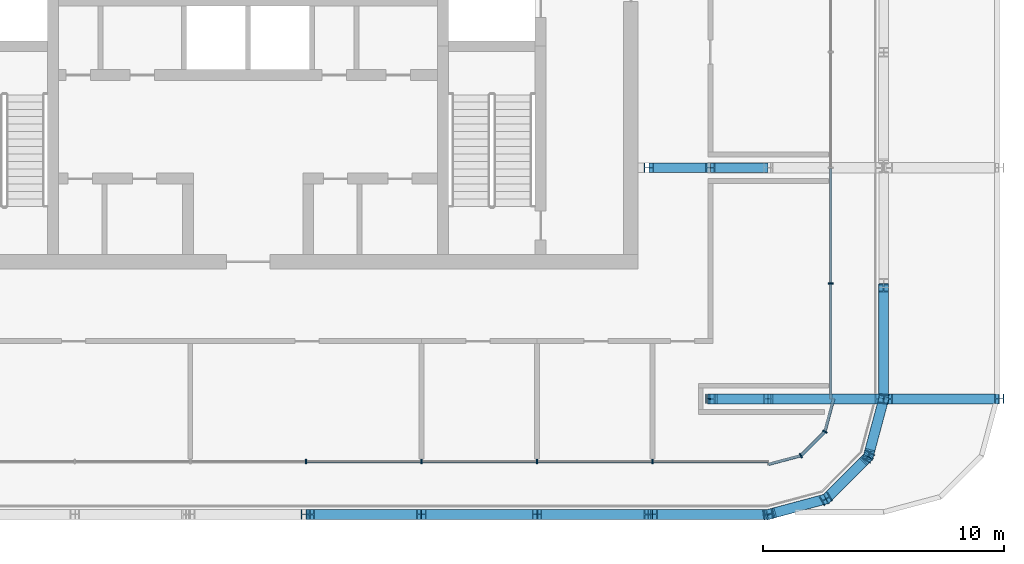
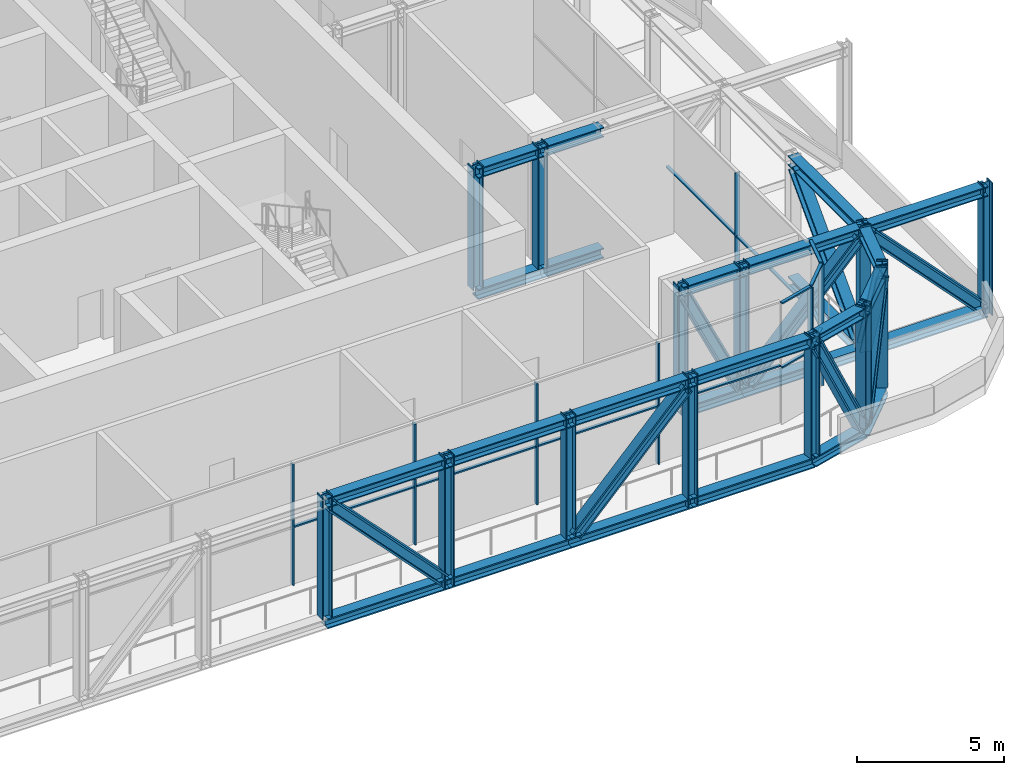
# One storey, part 7 of 26: 67 members, 3 elements without a shape of their own.
"""IFC4 building model written with IfcOpenShell, lengths in metres."""

from ifc_helpers import new_model, si_unit, direction, frame, origin, origin_2d, place, context, subcontext, project, spatial, rectangle, i_section, extrude, material, layer, layer_set, material_profile, profile_set, type_object, element, aggregate, save


model = new_model("IFC4")

# Units and contexts
model_context = context("Model", 3, precision=1e-05, world=origin(), true_north=direction((0.0, 1.0)))
body_context = subcontext(model_context, "Body", "Model", "MODEL_VIEW")
ifc_project = project(units=[si_unit("LENGTHUNIT", "METRE"), si_unit("AREAUNIT", "SQUARE_METRE"), si_unit("VOLUMEUNIT", "CUBIC_METRE"), si_unit("PLANEANGLEUNIT", "RADIAN"), si_unit("MASSUNIT", "GRAM", prefix="KILO")], contexts=[model_context])

# Site, building, storey
site_placement = place(None, origin())
site = spatial("IfcSite", under=ifc_project, at=site_placement, CompositionType="ELEMENT")
building_placement = place(site_placement, origin())
building = spatial("IfcBuilding", under=site, at=building_placement, Name="Madar Terraces", CompositionType="ELEMENT")
storey_placement = place(building_placement, frame((0.0, 0.0, 233.300048828125)))
storey = spatial("IfcBuildingStorey", under=building, at=storey_placement, Name="L61", CompositionType="ELEMENT", Elevation=233.300048828125)

# Members
ifc_material_1 = material(Name="Steel ASTM A992 Grade 50", Category="steel")
ifc_material_profile_1 = material_profile(ifc_material_1, i_section(OverallWidth=0.408935546875, OverallDepth=0.424072265625, WebThickness=0.03271484375, FlangeThickness=0.052490234375, at=origin_2d()), Name="W14x283")
ifc_profile_set_1 = profile_set([ifc_material_profile_1], Name="Steel ASTM A992 Grade 50")
member_type_1 = type_object("IfcMemberType", Name="BC8 W14x283", PredefinedType="CHORD", material=ifc_profile_set_1)
member_1_placement = place(storey_placement, frame((33.60009765625, 4.800048828125, -0.2080078125), z_axis=(1.0, 0.0, 0.0), x_axis=(0.0, 1.0, 0.0)))
element("IfcMember", 1, at=member_1_placement, inside=storey, type_object=member_type_1, Name="Exoskeleton truss ring bottom chord BC8", PredefinedType="CHORD", context=body_context, shape_type="SweptSolid", body=[
    extrude(i_section(OverallWidth=0.408935546875, OverallDepth=0.424072265625, WebThickness=0.03271484375, FlangeThickness=0.052490234375, at=origin_2d()), origin(), (0.0, 0.0, 1.0), 4.7998046875),
])
for number, where, z_axis, x_axis, name in (
    (2, (38.39990234375, 4.800048828125, -0.2080078125), (1.0, 0.0, 0.0), (0.0, 1.0, 0.0), "Exoskeleton truss ring bottom chord BC8"),
    (3, (43.199951171875, 4.800048828125, -0.2080078125), (1.0, 0.0, 0.0), (0.0, 1.0, 0.0), "Exoskeleton truss ring bottom chord BC8"),
    (4, (48.0, 4.800048828125, -0.2080078125), (1.0, 0.0, 0.0), (0.0, 1.0, 0.0), "Exoskeleton truss ring bottom chord BC8"),
):
    element("IfcMember", number, at=place(storey_placement, frame(where, z_axis=z_axis, x_axis=x_axis)), inside=storey, type_object=member_type_1, Name=name, PredefinedType="CHORD", context=body_context, shape_type="SweptSolid", body=[
        extrude(i_section(OverallWidth=0.408935546875, OverallDepth=0.424072265625, WebThickness=0.03271484375, FlangeThickness=0.052490234375, at=origin_2d()), origin(), (0.0, 0.0, 1.0), 4.800048828125),
    ])
for number, where, z_axis, x_axis, name in (
    (5, (52.800048828125, 4.800048828125, -0.2080078125), (0.965924366126, 0.258824494443, 0.0), (-0.258824494443, 0.965924366126, 0.0), "Exoskeleton truss ring bottom chord BC8"),
    (6, (55.199951171875, 5.443115234375, -0.2080078125), (0.707155907999, 0.70705765096, 0.0), (-0.70705765096, 0.707155907999, 0.0), "Exoskeleton truss ring bottom chord BC8"),
):
    element("IfcMember", number, at=place(storey_placement, frame(where, z_axis=z_axis, x_axis=x_axis)), inside=storey, type_object=member_type_1, Name=name, PredefinedType="CHORD", context=body_context, shape_type="SweptSolid", body=[
        extrude(i_section(OverallWidth=0.408935546875, OverallDepth=0.424072265625, WebThickness=0.03271484375, FlangeThickness=0.052490234375, at=origin_2d()), origin(), (0.0, 0.0, 1.0), 2.484619140625),
    ])
member_2_placement = place(storey_placement, frame((56.95703125, 7.199951171875, -0.2080078125), z_axis=(0.258799930484, 0.965930947833, 0.0), x_axis=(-0.965930947833, 0.258799930484, 0.0)))
element("IfcMember", 7, at=member_2_placement, inside=storey, type_object=member_type_1, Name="Exoskeleton truss ring bottom chord BC8", PredefinedType="CHORD", context=body_context, shape_type="SweptSolid", body=[
    extrude(i_section(OverallWidth=0.408935546875, OverallDepth=0.424072265625, WebThickness=0.03271484375, FlangeThickness=0.052490234375, at=origin_2d()), origin(), (0.0, 0.0, 1.0), 2.48486328125),
])
member_3_placement = place(storey_placement, frame((57.60009765625, 9.60009765625, -0.2080078125), z_axis=(0.0, 1.0, 0.0), x_axis=(-1.0, 0.0, 0.0)))
element("IfcMember", 8, at=member_3_placement, inside=storey, type_object=member_type_1, Name="Exoskeleton truss ring bottom chord BC8", PredefinedType="CHORD", context=body_context, shape_type="SweptSolid", body=[
    extrude(i_section(OverallWidth=0.408935546875, OverallDepth=0.424072265625, WebThickness=0.03271484375, FlangeThickness=0.052490234375, at=origin_2d()), origin(), (0.0, 0.0, 1.0), 4.7998046875),
])
for number, where, z_axis, x_axis, name in (
    (9, (62.39990234375, 9.60009765625, -0.2080078125), (-1.0, 0.0, 0.0), (0.0, -1.0, 0.0), "Exoskeleton truss cross E9.6 bottom chord BC8"),
    (10, (57.3955078125, 9.60009765625, -0.2080078125), (-1.0, 0.0, 0.0), (0.0, -1.0, 0.0), "Exoskeleton truss cross E9.6 bottom chord BC8"),
):
    element("IfcMember", number, at=place(storey_placement, frame(where, z_axis=z_axis, x_axis=x_axis)), inside=storey, type_object=member_type_1, Name=name, PredefinedType="CHORD", context=body_context, shape_type="SweptSolid", body=[
        extrude(i_section(OverallWidth=0.408935546875, OverallDepth=0.424072265625, WebThickness=0.03271484375, FlangeThickness=0.052490234375, at=origin_2d()), origin(), (0.0, 0.0, 1.0), 4.595458984375),
    ])
for number, where, z_axis, x_axis, name in (
    (11, (52.800048828125, 9.60009765625, -0.2080078125), (-1.0, 0.0, 0.0), (0.0, -1.0, 0.0), "Exoskeleton truss cross E9.6 bottom chord BC8"),
    (12, (52.800048828125, 19.199951171875, -0.2080078125), (-1.0, 0.0, 0.0), (0.0, -1.0, 0.0), "Exoskeleton truss cross E19.2 bottom chord BC8"),
):
    element("IfcMember", number, at=place(storey_placement, frame(where, z_axis=z_axis, x_axis=x_axis)), inside=storey, type_object=member_type_1, Name=name, PredefinedType="CHORD", context=body_context, shape_type="SweptSolid", body=[
        extrude(i_section(OverallWidth=0.408935546875, OverallDepth=0.424072265625, WebThickness=0.03271484375, FlangeThickness=0.052490234375, at=origin_2d()), origin(), (0.0, 0.0, 1.0), 2.400146484375),
    ])
member_4_placement = place(storey_placement, frame((50.39990234375, 19.199951171875, -0.2080078125), z_axis=(-1.0, 0.0, 0.0), x_axis=(0.0, -1.0, 0.0)))
element("IfcMember", 13, at=member_4_placement, inside=storey, type_object=member_type_1, Name="Exoskeleton truss cross E19.2 bottom chord BC8", PredefinedType="CHORD", context=body_context, shape_type="SweptSolid", body=[
    extrude(i_section(OverallWidth=0.408935546875, OverallDepth=0.424072265625, WebThickness=0.03271484375, FlangeThickness=0.052490234375, at=origin_2d()), origin(), (0.0, 0.0, 1.0), 2.5498046875),
])

# Curtain wall, members
ifc_material_2 = material(Name="Glass, ceramic frit dark grey, with black aluminium frame", Category="aluminium")
ifc_layer = layer(ifc_material_2, 0.199951171875)
ifc_layer_set = layer_set([ifc_layer], Name="Facade curtain wall, tall glazing")
curtain_wall_type = type_object("IfcCurtainWallType", Name="Facade curtain wall, tall glazing", PredefinedType="NOTDEFINED", material=ifc_layer_set)
curtain_wall_1_placement = place(storey_placement, origin())
curtain_wall_1 = element("IfcCurtainWall", 14, at=curtain_wall_1_placement, inside=storey, type_object=curtain_wall_type, Name="Outer skin curtain wall south bay 1", PredefinedType="NOTDEFINED")
ifc_material_3 = material(Name="Aluminium, black anodised", Category="aluminium")
ifc_material_profile_2 = material_profile(ifc_material_3, rectangle(XDim=0.199951171875, YDim=0.06005859375, at=origin_2d()), Name="Facade mullion 60x200")
ifc_profile_set_2 = profile_set([ifc_material_profile_2], Name="Aluminium, black anodised")
member_type_2 = type_object("IfcMemberType", Name="Facade mullion 60x200", PredefinedType="MULLION", material=ifc_profile_set_2)
member_5_placement = place(storey_placement, frame((33.60009765625, 7.0, 0.0), z_axis=(0.0, 0.0, 1.0), x_axis=(0.0, 1.0, 0.0)))
member_5 = element("IfcMember", 15, at=member_5_placement, type_object=member_type_2, Name="Mullion 6", PredefinedType="MULLION", context=body_context, shape_type="SweptSolid", body=[
    extrude(rectangle(XDim=0.199951171875, YDim=0.06005859375, at=origin_2d()), origin(), (0.0, 0.0, 1.0), 5.0400390625),
])
member_6_placement = place(storey_placement, frame((38.39990234375, 7.0, 0.0), z_axis=(0.0, 0.0, 1.0), x_axis=(0.0, 1.0, 0.0)))
member_6 = element("IfcMember", 16, at=member_6_placement, type_object=member_type_2, Name="Mullion 7", PredefinedType="MULLION", context=body_context, shape_type="SweptSolid", body=[
    extrude(rectangle(XDim=0.199951171875, YDim=0.06005859375, at=origin_2d()), origin(), (0.0, 0.0, 1.0), 5.0400390625),
])
member_7_placement = place(storey_placement, frame((43.199951171875, 7.0, 0.0), z_axis=(0.0, 0.0, 1.0), x_axis=(0.0, 1.0, 0.0)))
member_7 = element("IfcMember", 17, at=member_7_placement, type_object=member_type_2, Name="Mullion 8", PredefinedType="MULLION", context=body_context, shape_type="SweptSolid", body=[
    extrude(rectangle(XDim=0.199951171875, YDim=0.06005859375, at=origin_2d()), origin(), (0.0, 0.0, 1.0), 5.0400390625),
])
member_8_placement = place(storey_placement, frame((48.0, 7.0, 0.0), z_axis=(0.0, 0.0, 1.0), x_axis=(0.0, 1.0, 0.0)))
member_8 = element("IfcMember", 18, at=member_8_placement, type_object=member_type_2, Name="Mullion 9", PredefinedType="MULLION", context=body_context, shape_type="SweptSolid", body=[
    extrude(rectangle(XDim=0.199951171875, YDim=0.06005859375, at=origin_2d()), origin(), (0.0, 0.0, 1.0), 5.0400390625),
])

# Curtain wall, member
curtain_wall_2_placement = place(storey_placement, origin())
curtain_wall_2 = element("IfcCurtainWall", 19, at=curtain_wall_2_placement, inside=storey, type_object=curtain_wall_type, Name="Outer skin curtain wall east bay 1", PredefinedType="NOTDEFINED")
member_9_placement = place(storey_placement, frame((55.39990234375, 14.39990234375, 0.0), z_axis=(0.0, 0.0, 1.0), x_axis=(-1.0, 0.0, 0.0)))
member_9 = element("IfcMember", 20, at=member_9_placement, type_object=member_type_2, Name="Mullion 1", PredefinedType="MULLION", context=body_context, shape_type="SweptSolid", body=[
    extrude(rectangle(XDim=0.199951171875, YDim=0.06005859375, at=origin_2d()), origin(), (0.0, 0.0, 1.0), 5.0400390625),
])

# Curtain wall, members
curtain_wall_3_placement = place(storey_placement, origin())
curtain_wall_3 = element("IfcCurtainWall", 21, at=curtain_wall_3_placement, inside=storey, type_object=curtain_wall_type, Name="Outer skin curtain wall south-east corner", PredefinedType="NOTDEFINED")
member_10_placement = place(storey_placement, frame((54.159912109375, 7.244384765625, 0.0), z_axis=(0.0, 0.0, 1.0), x_axis=(-0.500000029202, 0.866025386925, 0.0)))
member_10 = element("IfcMember", 22, at=member_10_placement, type_object=member_type_2, Name="Mullion 1", PredefinedType="MULLION", context=body_context, shape_type="SweptSolid", body=[
    extrude(rectangle(XDim=0.199951171875, YDim=0.06005859375, at=origin_2d()), origin(), (0.0, 0.0, 1.0), 5.0400390625),
])
member_11_placement = place(storey_placement, frame((55.155517578125, 8.239990234375, 0.0), z_axis=(0.0, 0.0, 1.0), x_axis=(-0.866025386925, 0.500000029202, 0.0)))
member_11 = element("IfcMember", 23, at=member_11_placement, type_object=member_type_2, Name="Mullion 2", PredefinedType="MULLION", context=body_context, shape_type="SweptSolid", body=[
    extrude(rectangle(XDim=0.199951171875, YDim=0.06005859375, at=origin_2d()), origin(), (0.0, 0.0, 1.0), 5.0400390625),
])

# Member
ifc_material_4 = material(Name="Aluminium, black anodised", Category="aluminium")
ifc_material_profile_3 = material_profile(ifc_material_4, rectangle(XDim=0.1201171875, YDim=0.06005859375, at=origin_2d()), Name="Facade transom 60x120")
ifc_profile_set_3 = profile_set([ifc_material_profile_3], Name="Aluminium, black anodised")
member_type_3 = type_object("IfcMemberType", Name="Facade transom 60x120", PredefinedType="USERDEFINED", material=ifc_profile_set_3)
member_12_placement = place(storey_placement, frame((33.6298828125, 7.0, 2.39990234375), z_axis=(1.0, 0.0, 0.0), x_axis=(0.0, 1.0, 0.0)))
member_12 = element("IfcMember", 24, at=member_12_placement, type_object=member_type_3, Name="Transom 8", ObjectType="TRANSOM", PredefinedType="USERDEFINED", context=body_context, shape_type="SweptSolid", body=[
    extrude(rectangle(XDim=0.1201171875, YDim=0.06005859375, at=origin_2d()), origin(), (0.0, 0.0, 1.0), 4.740234375),
])

member_13_placement = place(storey_placement, frame((38.429931640625, 7.0, 2.39990234375), z_axis=(1.0, 0.0, 0.0), x_axis=(0.0, 1.0, 0.0)))
member_13 = element("IfcMember", 25, at=member_13_placement, type_object=member_type_3, Name="Transom 9", ObjectType="TRANSOM", PredefinedType="USERDEFINED", context=body_context, shape_type="SweptSolid", body=[
    extrude(rectangle(XDim=0.1201171875, YDim=0.06005859375, at=origin_2d()), origin(), (0.0, 0.0, 1.0), 4.739990234375),
])

member_14_placement = place(storey_placement, frame((43.22998046875, 7.0, 2.39990234375), z_axis=(1.0, 0.0, 0.0), x_axis=(0.0, 1.0, 0.0)))
member_14 = element("IfcMember", 26, at=member_14_placement, type_object=member_type_3, Name="Transom 10", ObjectType="TRANSOM", PredefinedType="USERDEFINED", context=body_context, shape_type="SweptSolid", body=[
    extrude(rectangle(XDim=0.1201171875, YDim=0.06005859375, at=origin_2d()), origin(), (0.0, 0.0, 1.0), 4.739990234375),
])

member_15_placement = place(storey_placement, frame((48.030029296875, 7.0, 2.39990234375), z_axis=(1.0, 0.0, 0.0), x_axis=(0.0, 1.0, 0.0)))
member_15 = element("IfcMember", 27, at=member_15_placement, type_object=member_type_3, Name="Transom 11", ObjectType="TRANSOM", PredefinedType="USERDEFINED", context=body_context, shape_type="SweptSolid", body=[
    extrude(rectangle(XDim=0.1201171875, YDim=0.06005859375, at=origin_2d()), origin(), (0.0, 0.0, 1.0), 4.77001953125),
])

aggregate(curtain_wall_1, [member_5, member_6, member_7, member_8, member_12, member_13, member_14, member_15])

member_16_placement = place(storey_placement, frame((55.39990234375, 9.60009765625, 2.39990234375), z_axis=(0.0, 1.0, 0.0), x_axis=(-1.0, 0.0, 0.0)))
member_16 = element("IfcMember", 28, at=member_16_placement, type_object=member_type_3, Name="Transom 2", ObjectType="TRANSOM", PredefinedType="USERDEFINED", context=body_context, shape_type="SweptSolid", body=[
    extrude(rectangle(XDim=0.1201171875, YDim=0.06005859375, at=origin_2d()), origin(), (0.0, 0.0, 1.0), 4.77001953125),
])

member_17_placement = place(storey_placement, frame((55.39990234375, 14.429931640625, 2.39990234375), z_axis=(0.0, 1.0, 0.0), x_axis=(-1.0, 0.0, 0.0)))
member_17 = element("IfcMember", 29, at=member_17_placement, type_object=member_type_3, Name="Transom 3", ObjectType="TRANSOM", PredefinedType="USERDEFINED", context=body_context, shape_type="SweptSolid", body=[
    extrude(rectangle(XDim=0.1201171875, YDim=0.06005859375, at=origin_2d()), origin(), (0.0, 0.0, 1.0), 4.739990234375),
])

aggregate(curtain_wall_2, [member_9, member_16, member_17])

member_18_placement = place(storey_placement, frame((52.800048828125, 6.8798828125, 5.070068359375), z_axis=(0.965919580711, 0.258842352791, 0.0), x_axis=(-0.258842352791, 0.965919580711, 0.0)))
member_18 = element("IfcMember", 30, at=member_18_placement, type_object=member_type_3, Name="Transom 1", ObjectType="TRANSOM", PredefinedType="USERDEFINED", context=body_context, shape_type="SweptSolid", body=[
    extrude(rectangle(XDim=0.1201171875, YDim=0.06005859375, at=origin_2d()), origin(), (0.0, 0.0, 1.0), 1.3779296875),
])

member_19_placement = place(storey_placement, frame((52.800048828125, 6.8798828125, 2.39990234375), z_axis=(0.965919580711, 0.258842352791, 0.0), x_axis=(-0.258842352791, 0.965919580711, 0.0)))
member_19 = element("IfcMember", 31, at=member_19_placement, type_object=member_type_3, Name="Transom 2", ObjectType="TRANSOM", PredefinedType="USERDEFINED", context=body_context, shape_type="SweptSolid", body=[
    extrude(rectangle(XDim=0.1201171875, YDim=0.06005859375, at=origin_2d()), origin(), (0.0, 0.0, 1.0), 1.3779296875),
])

member_20_placement = place(storey_placement, frame((54.18115234375, 7.265625, 5.070068359375), z_axis=(0.707106781187, 0.707106781187, 0.0), x_axis=(-0.707106781187, 0.707106781187, 0.0)))
member_20 = element("IfcMember", 32, at=member_20_placement, type_object=member_type_3, Name="Transom 3", ObjectType="TRANSOM", PredefinedType="USERDEFINED", context=body_context, shape_type="SweptSolid", body=[
    extrude(rectangle(XDim=0.1201171875, YDim=0.06005859375, at=origin_2d()), origin(), (0.0, 0.0, 1.0), 1.347900390625),
])

member_21_placement = place(storey_placement, frame((54.18115234375, 7.265625, 2.39990234375), z_axis=(0.707106781187, 0.707106781187, 0.0), x_axis=(-0.707106781187, 0.707106781187, 0.0)))
member_21 = element("IfcMember", 33, at=member_21_placement, type_object=member_type_3, Name="Transom 4", ObjectType="TRANSOM", PredefinedType="USERDEFINED", context=body_context, shape_type="SweptSolid", body=[
    extrude(rectangle(XDim=0.1201171875, YDim=0.06005859375, at=origin_2d()), origin(), (0.0, 0.0, 1.0), 1.347900390625),
])

member_22_placement = place(storey_placement, frame((55.163330078125, 8.26904296875, 5.070068359375), z_axis=(0.258842352791, 0.965919580711, 0.0), x_axis=(-0.965919580711, 0.258842352791, 0.0)))
member_22 = element("IfcMember", 34, at=member_22_placement, type_object=member_type_3, Name="Transom 5", ObjectType="TRANSOM", PredefinedType="USERDEFINED", context=body_context, shape_type="SweptSolid", body=[
    extrude(rectangle(XDim=0.1201171875, YDim=0.06005859375, at=origin_2d()), origin(), (0.0, 0.0, 1.0), 1.3779296875),
])

member_23_placement = place(storey_placement, frame((55.163330078125, 8.26904296875, 2.39990234375), z_axis=(0.258842352791, 0.965919580711, 0.0), x_axis=(-0.965919580711, 0.258842352791, 0.0)))
member_23 = element("IfcMember", 35, at=member_23_placement, type_object=member_type_3, Name="Transom 6", ObjectType="TRANSOM", PredefinedType="USERDEFINED", context=body_context, shape_type="SweptSolid", body=[
    extrude(rectangle(XDim=0.1201171875, YDim=0.06005859375, at=origin_2d()), origin(), (0.0, 0.0, 1.0), 1.3779296875),
])

aggregate(curtain_wall_3, [member_10, member_18, member_19, member_11, member_20, member_21, member_22, member_23])

# Members
ifc_material_5 = material(Name="Steel ASTM A992 Grade 50", Category="steel")
ifc_material_profile_4 = material_profile(ifc_material_5, i_section(OverallWidth=0.40380859375, OverallDepth=0.406494140625, WebThickness=0.027099609375, FlangeThickness=0.043701171875, at=origin_2d()), Name="W14x233")
ifc_profile_set_4 = profile_set([ifc_material_profile_4], Name="Steel ASTM A992 Grade 50")
member_type_4 = type_object("IfcMemberType", Name="TC8 W14x233", PredefinedType="CHORD", material=ifc_profile_set_4)
member_24_placement = place(storey_placement, frame((33.60009765625, 4.800048828125, 4.82666015625), z_axis=(1.0, 0.0, 0.0), x_axis=(0.0, 1.0, 0.0)))
element("IfcMember", 36, at=member_24_placement, inside=storey, type_object=member_type_4, Name="Exoskeleton truss ring top chord TC8", PredefinedType="CHORD", context=body_context, shape_type="SweptSolid", body=[
    extrude(i_section(OverallWidth=0.40380859375, OverallDepth=0.406494140625, WebThickness=0.027099609375, FlangeThickness=0.043701171875, at=origin_2d()), origin(), (0.0, 0.0, 1.0), 4.7998046875),
])
for number, where, z_axis, x_axis, name in (
    (37, (38.39990234375, 4.800048828125, 4.82666015625), (1.0, 0.0, 0.0), (0.0, 1.0, 0.0), "Exoskeleton truss ring top chord TC8"),
    (38, (43.199951171875, 4.800048828125, 4.82666015625), (1.0, 0.0, 0.0), (0.0, 1.0, 0.0), "Exoskeleton truss ring top chord TC8"),
    (39, (48.0, 4.800048828125, 4.82666015625), (1.0, 0.0, 0.0), (0.0, 1.0, 0.0), "Exoskeleton truss ring top chord TC8"),
):
    element("IfcMember", number, at=place(storey_placement, frame(where, z_axis=z_axis, x_axis=x_axis)), inside=storey, type_object=member_type_4, Name=name, PredefinedType="CHORD", context=body_context, shape_type="SweptSolid", body=[
        extrude(i_section(OverallWidth=0.40380859375, OverallDepth=0.406494140625, WebThickness=0.027099609375, FlangeThickness=0.043701171875, at=origin_2d()), origin(), (0.0, 0.0, 1.0), 4.800048828125),
    ])
for number, where, z_axis, x_axis, name in (
    (40, (52.800048828125, 4.800048828125, 4.82666015625), (0.965924366126, 0.258824494443, 0.0), (-0.258824494443, 0.965924366126, 0.0), "Exoskeleton truss ring top chord TC8"),
    (41, (55.199951171875, 5.443115234375, 4.82666015625), (0.707155907999, 0.70705765096, 0.0), (-0.70705765096, 0.707155907999, 0.0), "Exoskeleton truss ring top chord TC8"),
):
    element("IfcMember", number, at=place(storey_placement, frame(where, z_axis=z_axis, x_axis=x_axis)), inside=storey, type_object=member_type_4, Name=name, PredefinedType="CHORD", context=body_context, shape_type="SweptSolid", body=[
        extrude(i_section(OverallWidth=0.40380859375, OverallDepth=0.406494140625, WebThickness=0.027099609375, FlangeThickness=0.043701171875, at=origin_2d()), origin(), (0.0, 0.0, 1.0), 2.484619140625),
    ])
member_25_placement = place(storey_placement, frame((56.95703125, 7.199951171875, 4.82666015625), z_axis=(0.258799930484, 0.965930947833, 0.0), x_axis=(-0.965930947833, 0.258799930484, 0.0)))
element("IfcMember", 42, at=member_25_placement, inside=storey, type_object=member_type_4, Name="Exoskeleton truss ring top chord TC8", PredefinedType="CHORD", context=body_context, shape_type="SweptSolid", body=[
    extrude(i_section(OverallWidth=0.40380859375, OverallDepth=0.406494140625, WebThickness=0.027099609375, FlangeThickness=0.043701171875, at=origin_2d()), origin(), (0.0, 0.0, 1.0), 2.48486328125),
])
member_26_placement = place(storey_placement, frame((57.60009765625, 9.60009765625, 4.82666015625), z_axis=(0.0, 1.0, 0.0), x_axis=(-1.0, 0.0, 0.0)))
element("IfcMember", 43, at=member_26_placement, inside=storey, type_object=member_type_4, Name="Exoskeleton truss ring top chord TC8", PredefinedType="CHORD", context=body_context, shape_type="SweptSolid", body=[
    extrude(i_section(OverallWidth=0.40380859375, OverallDepth=0.406494140625, WebThickness=0.027099609375, FlangeThickness=0.043701171875, at=origin_2d()), origin(), (0.0, 0.0, 1.0), 4.7998046875),
])
for number, where, z_axis, x_axis, name in (
    (44, (62.39990234375, 9.60009765625, 4.82666015625), (-1.0, 0.0, 0.0), (0.0, -1.0, 0.0), "Exoskeleton truss cross E9.6 top chord TC8"),
    (45, (57.39794921875, 9.60009765625, 4.82666015625), (-1.0, 0.0, 0.0), (0.0, -1.0, 0.0), "Exoskeleton truss cross E9.6 top chord TC8"),
):
    element("IfcMember", number, at=place(storey_placement, frame(where, z_axis=z_axis, x_axis=x_axis)), inside=storey, type_object=member_type_4, Name=name, PredefinedType="CHORD", context=body_context, shape_type="SweptSolid", body=[
        extrude(i_section(OverallWidth=0.40380859375, OverallDepth=0.406494140625, WebThickness=0.027099609375, FlangeThickness=0.043701171875, at=origin_2d()), origin(), (0.0, 0.0, 1.0), 4.597900390625),
    ])
for number, where, z_axis, x_axis, name in (
    (46, (52.800048828125, 9.60009765625, 4.82666015625), (-1.0, 0.0, 0.0), (0.0, -1.0, 0.0), "Exoskeleton truss cross E9.6 top chord TC8"),
    (47, (52.800048828125, 19.199951171875, 4.82666015625), (-1.0, 0.0, 0.0), (0.0, -1.0, 0.0), "Exoskeleton truss cross E19.2 top chord TC8"),
):
    element("IfcMember", number, at=place(storey_placement, frame(where, z_axis=z_axis, x_axis=x_axis)), inside=storey, type_object=member_type_4, Name=name, PredefinedType="CHORD", context=body_context, shape_type="SweptSolid", body=[
        extrude(i_section(OverallWidth=0.40380859375, OverallDepth=0.406494140625, WebThickness=0.027099609375, FlangeThickness=0.043701171875, at=origin_2d()), origin(), (0.0, 0.0, 1.0), 2.400146484375),
    ])
member_27_placement = place(storey_placement, frame((50.39990234375, 19.199951171875, 4.82666015625), z_axis=(-1.0, 0.0, 0.0), x_axis=(0.0, -1.0, 0.0)))
element("IfcMember", 48, at=member_27_placement, inside=storey, type_object=member_type_4, Name="Exoskeleton truss cross E19.2 top chord TC8", PredefinedType="CHORD", context=body_context, shape_type="SweptSolid", body=[
    extrude(i_section(OverallWidth=0.40380859375, OverallDepth=0.406494140625, WebThickness=0.027099609375, FlangeThickness=0.043701171875, at=origin_2d()), origin(), (0.0, 0.0, 1.0), 2.5498046875),
])
ifc_material_6 = material(Name="Steel ASTM A992 Grade 50", Category="steel")
ifc_material_profile_5 = material_profile(ifc_material_6, i_section(OverallWidth=0.419189453125, OverallDepth=0.45458984375, WebThickness=0.042236328125, FlangeThickness=0.067626953125, at=origin_2d()), Name="W14x370")
ifc_profile_set_5 = profile_set([ifc_material_profile_5], Name="Steel ASTM A992 Grade 50")
member_type_5 = type_object("IfcMemberType", Name="TD8 W14x370", PredefinedType="BRACE", material=ifc_profile_set_5)
for number, where, z_axis, x_axis, name in (
    (49, (33.793701171875, 4.800048828125, 4.62353515625), (0.690036191516, 0.0, -0.723774864442), (0.0, 1.0, 0.0), "Exoskeleton truss ring diagonal TD8"),
    (50, (43.402099609375, 4.800048828125, 0.004150390625), (0.690036191516, 0.0, 0.723774864442), (0.0, 1.0, 0.0), "Exoskeleton truss ring diagonal TD8"),
):
    element("IfcMember", number, at=place(storey_placement, frame(where, z_axis=z_axis, x_axis=x_axis)), inside=storey, type_object=member_type_5, Name=name, PredefinedType="BRACE", context=body_context, shape_type="SweptSolid", body=[
        extrude(i_section(OverallWidth=0.419189453125, OverallDepth=0.45458984375, WebThickness=0.042236328125, FlangeThickness=0.067626953125, at=origin_2d()), origin(), (0.0, 0.0, 1.0), 6.38232421875),
    ])
member_28_placement = place(storey_placement, frame((52.89697265625, 4.825927734375, 4.62353515625), z_axis=(0.427451083934, 0.114552530199, -0.896751520026), x_axis=(-0.258855640322, 0.965916019887, 0.0)))
element("IfcMember", 51, at=member_28_placement, inside=storey, type_object=member_type_5, Name="Exoskeleton truss ring diagonal TD8", PredefinedType="BRACE", context=body_context, shape_type="SweptSolid", body=[
    extrude(i_section(OverallWidth=0.419189453125, OverallDepth=0.45458984375, WebThickness=0.042236328125, FlangeThickness=0.067626953125, at=origin_2d()), origin(), (0.0, 0.0, 1.0), 5.151123046875),
])
member_29_placement = place(storey_placement, frame((55.27392578125, 5.51708984375, 0.004150390625), z_axis=(0.312940687487, 0.312940687487, 0.896736445245), x_axis=(-0.707106781187, 0.707106781187, 0.0)))
element("IfcMember", 52, at=member_29_placement, inside=storey, type_object=member_type_5, Name="Exoskeleton truss ring diagonal TD8", PredefinedType="BRACE", context=body_context, shape_type="SweptSolid", body=[
    extrude(i_section(OverallWidth=0.419189453125, OverallDepth=0.45458984375, WebThickness=0.042236328125, FlangeThickness=0.067626953125, at=origin_2d()), origin(), (0.0, 0.0, 1.0), 5.1513671875),
])
member_30_placement = place(storey_placement, frame((56.98291015625, 7.296875, 4.62353515625), z_axis=(0.114552530199, 0.427451083934, -0.896751520026), x_axis=(-0.965916019887, 0.258855640322, 0.0)))
element("IfcMember", 53, at=member_30_placement, inside=storey, type_object=member_type_5, Name="Exoskeleton truss ring diagonal TD8", PredefinedType="BRACE", context=body_context, shape_type="SweptSolid", body=[
    extrude(i_section(OverallWidth=0.419189453125, OverallDepth=0.45458984375, WebThickness=0.042236328125, FlangeThickness=0.067626953125, at=origin_2d()), origin(), (0.0, 0.0, 1.0), 5.151123046875),
])
member_31_placement = place(storey_placement, frame((57.60009765625, 9.80224609375, 0.004150390625), z_axis=(0.0, 0.690036191516, 0.723774864442), x_axis=(-1.0, 0.0, 0.0)))
element("IfcMember", 54, at=member_31_placement, inside=storey, type_object=member_type_5, Name="Exoskeleton truss ring diagonal TD8", PredefinedType="BRACE", context=body_context, shape_type="SweptSolid", body=[
    extrude(i_section(OverallWidth=0.419189453125, OverallDepth=0.45458984375, WebThickness=0.042236328125, FlangeThickness=0.067626953125, at=origin_2d()), origin(), (0.0, 0.0, 1.0), 6.38232421875),
])
for number, where, z_axis, x_axis, name in (
    (55, (62.19775390625, 9.60009765625, 0.004150390625), (-0.690033293208, 0.0, 0.723777627635), (0.0, -1.0, 0.0), "Exoskeleton truss cross E9.6 diagonal TD8"),
    (56, (57.3955078125, 9.60009765625, 4.6123046875), (-0.690033293208, 0.0, -0.723777627635), (0.0, -1.0, 0.0), "Exoskeleton truss cross E9.6 diagonal TD8"),
):
    element("IfcMember", number, at=place(storey_placement, frame(where, z_axis=z_axis, x_axis=x_axis)), inside=storey, type_object=member_type_5, Name=name, PredefinedType="BRACE", context=body_context, shape_type="SweptSolid", body=[
        extrude(i_section(OverallWidth=0.419189453125, OverallDepth=0.45458984375, WebThickness=0.042236328125, FlangeThickness=0.067626953125, at=origin_2d()), origin(), (0.0, 0.0, 1.0), 6.36669921875),
    ])
member_32_placement = place(storey_placement, frame((52.698974609375, 9.60009765625, 0.004150390625), z_axis=(-0.430322432298, 0.0, 0.902675248504), x_axis=(0.0, -1.0, 0.0)))
element("IfcMember", 57, at=member_32_placement, inside=storey, type_object=member_type_5, Name="Exoskeleton truss cross E9.6 diagonal TD8", PredefinedType="BRACE", context=body_context, shape_type="SweptSolid", body=[
    extrude(i_section(OverallWidth=0.419189453125, OverallDepth=0.45458984375, WebThickness=0.042236328125, FlangeThickness=0.067626953125, at=origin_2d()), origin(), (0.0, 0.0, 1.0), 5.117431640625),
])
ifc_material_7 = material(Name="Steel ASTM A992 Grade 50", Category="steel")
ifc_material_profile_6 = material_profile(ifc_material_7, i_section(OverallWidth=0.398681640625, OverallDepth=0.393798828125, WebThickness=0.022705078125, FlangeThickness=0.03662109375, at=origin_2d()), Name="W14x193")
ifc_profile_set_6 = profile_set([ifc_material_profile_6], Name="Steel ASTM A992 Grade 50")
member_type_6 = type_object("IfcMemberType", Name="TV8 W14x193", PredefinedType="POST", material=ifc_profile_set_6)
member_33_placement = place(storey_placement, frame((33.60009765625, 4.800048828125, 0.004150390625), z_axis=(0.0, 0.0, 1.0), x_axis=(0.0, 1.0, 0.0)))
element("IfcMember", 58, at=member_33_placement, inside=storey, type_object=member_type_6, Name="Exoskeleton truss ring post TV8", PredefinedType="POST", context=body_context, shape_type="SweptSolid", body=[
    extrude(i_section(OverallWidth=0.398681640625, OverallDepth=0.393798828125, WebThickness=0.022705078125, FlangeThickness=0.03662109375, at=origin_2d()), origin(), (0.0, 0.0, 1.0), 5.095703125),
])
member_34_placement = place(storey_placement, frame((38.39990234375, 4.800048828125, -0.420166015625), z_axis=(0.0, 0.0, 1.0), x_axis=(0.0, 1.0, 0.0)))
element("IfcMember", 59, at=member_34_placement, inside=storey, type_object=member_type_6, Name="Exoskeleton truss ring post TV8", PredefinedType="POST", context=body_context, shape_type="SweptSolid", body=[
    extrude(i_section(OverallWidth=0.398681640625, OverallDepth=0.393798828125, WebThickness=0.022705078125, FlangeThickness=0.03662109375, at=origin_2d()), origin(), (0.0, 0.0, 1.0), 5.52001953125),
])
member_35_placement = place(storey_placement, frame((43.199951171875, 4.800048828125, 0.004150390625), z_axis=(0.0, 0.0, 1.0), x_axis=(0.0, 1.0, 0.0)))
element("IfcMember", 60, at=member_35_placement, inside=storey, type_object=member_type_6, Name="Exoskeleton truss ring post TV8", PredefinedType="POST", context=body_context, shape_type="SweptSolid", body=[
    extrude(i_section(OverallWidth=0.398681640625, OverallDepth=0.393798828125, WebThickness=0.022705078125, FlangeThickness=0.03662109375, at=origin_2d()), origin(), (0.0, 0.0, 1.0), 5.095703125),
])
member_36_placement = place(storey_placement, frame((48.0, 4.800048828125, -0.420166015625), z_axis=(0.0, 0.0, 1.0), x_axis=(0.0, 1.0, 0.0)))
element("IfcMember", 61, at=member_36_placement, inside=storey, type_object=member_type_6, Name="Exoskeleton truss ring post TV8", PredefinedType="POST", context=body_context, shape_type="SweptSolid", body=[
    extrude(i_section(OverallWidth=0.398681640625, OverallDepth=0.393798828125, WebThickness=0.022705078125, FlangeThickness=0.03662109375, at=origin_2d()), origin(), (0.0, 0.0, 1.0), 5.52001953125),
])
for number, where, z_axis, x_axis, name in (
    (62, (52.800048828125, 4.800048828125, 0.004150390625), (0.0, 0.0, 1.0), (-0.130526174916, 0.991444863652, 0.0), "Exoskeleton truss ring post TV8"),
    (63, (55.199951171875, 5.443115234375, 0.004150390625), (0.0, 0.0, 1.0), (-0.499999984885, 0.866025412511, 0.0), "Exoskeleton truss ring post TV8"),
    (64, (56.95703125, 7.199951171875, 0.004150390625), (0.0, 0.0, 1.0), (-0.866025412511, 0.499999984885, 0.0), "Exoskeleton truss ring post TV8"),
    (65, (57.60009765625, 9.60009765625, 0.004150390625), (0.0, 0.0, 1.0), (-0.991444863652, 0.130526174916, 0.0), "Exoskeleton truss ring post TV8"),
):
    element("IfcMember", number, at=place(storey_placement, frame(where, z_axis=z_axis, x_axis=x_axis)), inside=storey, type_object=member_type_6, Name=name, PredefinedType="POST", context=body_context, shape_type="SweptSolid", body=[
        extrude(i_section(OverallWidth=0.398681640625, OverallDepth=0.393798828125, WebThickness=0.022705078125, FlangeThickness=0.03662109375, at=origin_2d()), origin(), (0.0, 0.0, 1.0), 5.095703125),
    ])
member_37_placement = place(storey_placement, frame((62.39990234375, 9.60009765625, -0.420166015625), z_axis=(0.0, 0.0, 1.0), x_axis=(0.0, 1.0, 0.0)))
element("IfcMember", 66, at=member_37_placement, inside=storey, type_object=member_type_6, Name="Exoskeleton truss cross E9.6 post TV8", PredefinedType="POST", context=body_context, shape_type="SweptSolid", body=[
    extrude(i_section(OverallWidth=0.398681640625, OverallDepth=0.393798828125, WebThickness=0.022705078125, FlangeThickness=0.03662109375, at=origin_2d()), origin(), (0.0, 0.0, 1.0), 5.52001953125),
])
for number, where, z_axis, x_axis, name in (
    (67, (52.800048828125, 9.60009765625, 0.004150390625), (0.0, 0.0, 1.0), (0.0, 1.0, 0.0), "Exoskeleton truss cross E9.6 post TV8"),
    (68, (50.39990234375, 9.60009765625, 0.004150390625), (0.0, 0.0, 1.0), (0.0, 1.0, 0.0), "Exoskeleton truss cross E9.6 post TV8"),
    (69, (50.39990234375, 19.199951171875, 0.004150390625), (0.0, 0.0, 1.0), (0.0, 1.0, 0.0), "Exoskeleton truss cross E19.2 post TV8"),
    (70, (47.85009765625, 19.199951171875, 0.004150390625), (0.0, 0.0, 1.0), (0.0, 1.0, 0.0), "Exoskeleton truss cross E19.2 post TV8"),
):
    element("IfcMember", number, at=place(storey_placement, frame(where, z_axis=z_axis, x_axis=x_axis)), inside=storey, type_object=member_type_6, Name=name, PredefinedType="POST", context=body_context, shape_type="SweptSolid", body=[
        extrude(i_section(OverallWidth=0.398681640625, OverallDepth=0.393798828125, WebThickness=0.022705078125, FlangeThickness=0.03662109375, at=origin_2d()), origin(), (0.0, 0.0, 1.0), 5.095703125),
    ])

save(model, "model.ifc")
